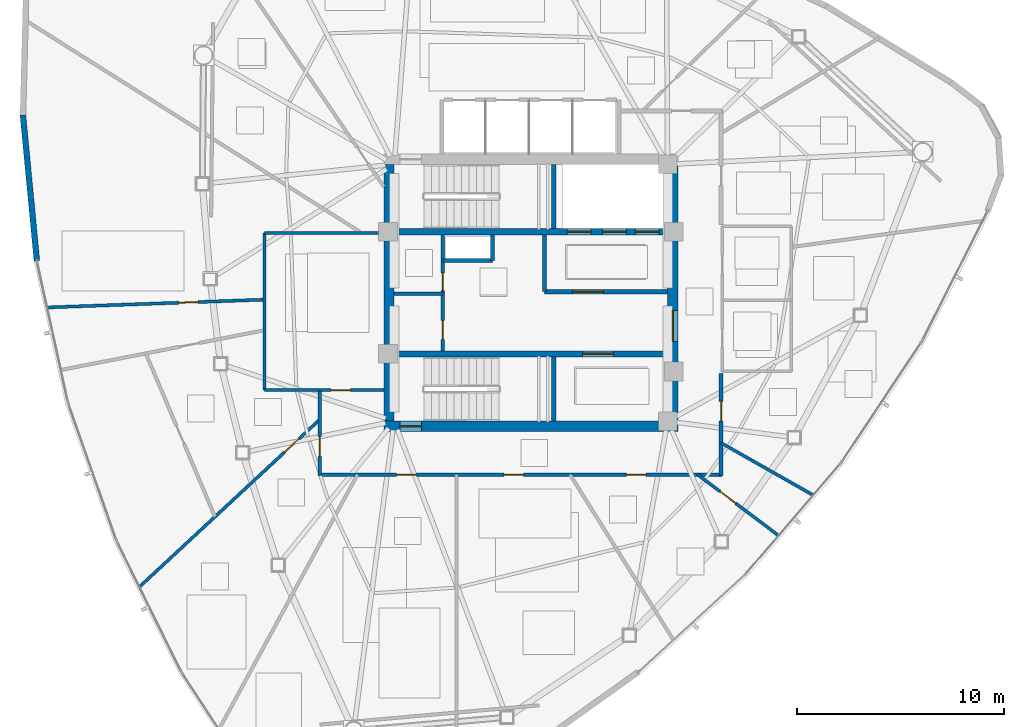
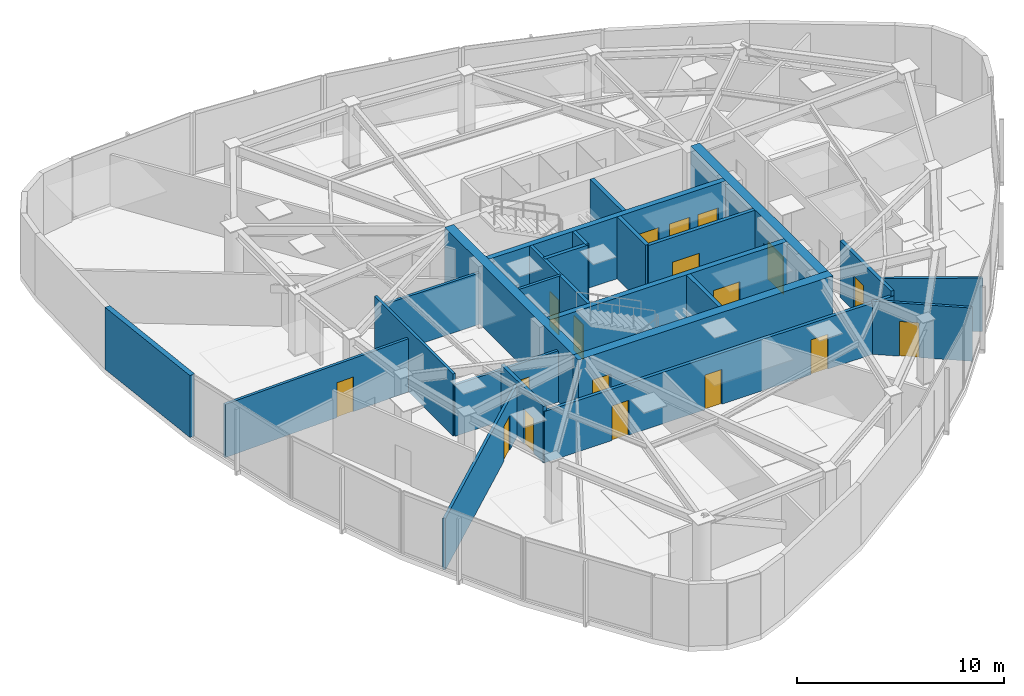
# One storey, part 9 of 14: 24 walls, 18 doors, 18 openings.
"""IFC4 building model written with IfcOpenShell, lengths in metres."""

from ifc_helpers import new_model, si_unit, direction, frame, frame_2d, origin, place, context, subcontext, project, spatial, rectangle, extrude, material, layer, layer_set, type_object, element, fill, save


model = new_model("IFC4")

# Units and contexts
model_context = context("Model", 3, precision=1e-05, world=origin(), true_north=direction((0.0, 1.0)))
body_context = subcontext(model_context, "Body", "Model", "MODEL_VIEW")
ifc_project = project(units=[si_unit("LENGTHUNIT", "METRE"), si_unit("AREAUNIT", "SQUARE_METRE"), si_unit("VOLUMEUNIT", "CUBIC_METRE"), si_unit("PLANEANGLEUNIT", "RADIAN"), si_unit("MASSUNIT", "GRAM", prefix="KILO")], contexts=[model_context])

# Site, building, storey
site_placement = place(None, origin())
site = spatial("IfcSite", under=ifc_project, at=site_placement, CompositionType="ELEMENT")
building_placement = place(site_placement, origin())
building = spatial("IfcBuilding", under=site, at=building_placement, Name="Tavelor Broadcast Tower", CompositionType="ELEMENT")
storey_placement = place(building_placement, frame((0.0, 0.0, 234.0)))
storey = spatial("IfcBuildingStorey", under=building, at=storey_placement, Name="L55", CompositionType="ELEMENT", Elevation=234.0)

# Wall, opening, door
ifc_material_1 = material(Name="Concrete C50/60", Category="concrete")
ifc_layer_1 = layer(ifc_material_1, 0.5)
ifc_layer_set_1 = layer_set([ifc_layer_1], Name="Concrete C50/60")
wall_type_1 = type_object("IfcWallType", Name="Core Shear Wall 500 mm", PredefinedType="SHEAR", material=ifc_layer_set_1)
wall_1_placement = place(storey_placement, frame((42.89990234375, 38.550048828125, 0.0), z_axis=(0.0, 0.0, 1.0), x_axis=(1.0, 0.0, 0.0)))
wall_1 = element("IfcWall", 1, at=wall_1_placement, inside=storey, type_object=wall_type_1, Name="L55 Central Core Shear Wall S", PredefinedType="SHEAR", context=body_context, shape_type="SweptSolid", body=[
    extrude(rectangle(XDim=14.2001953125, YDim=0.5, at=frame_2d((7.10009765625, 0.0))), origin(), (0.0, 0.0, 1.0), 3.64990234375),
])
opening_1_placement = place(wall_1_placement, frame((0.780029296875, 0.0, 0.0)))
opening_1 = element("IfcOpeningElement", 2, at=opening_1_placement, cuts=wall_1, Name="Opening DR11", PredefinedType="OPENING", context=body_context, shape_type="SweptSolid", body=[
    extrude(rectangle(XDim=1.050048828125, YDim=2.199951171875, at=frame_2d((0.52490234375, 1.10009765625))), frame((0.0, 0.260009765625, 0.0), z_axis=(0.0, -1.0, 0.0), x_axis=(1.0, 0.0, 0.0)), (0.0, 0.0, 1.0), 0.52001953125),
])
ifc_material_2 = material(Name="Steel S355", Category="steel")
door_type_1 = type_object("IfcDoorType", Name="Stair Core Fire Escape Door 1050x2200", OperationType="NOTDEFINED", PredefinedType="DOOR", material=ifc_material_2)
door_1_placement = place(opening_1_placement, origin())
door_1 = element("IfcDoor", 3, at=door_1_placement, inside=storey, type_object=door_type_1, Name="L55 Stair ST2 Protected Exit Door", OperationType="SINGLE_SWING_RIGHT", OverallHeight=2.199951171875, OverallWidth=1.050048828125, PredefinedType="DOOR", context=body_context, shape_type="SweptSolid", body=[
    extrude(rectangle(XDim=1.050048828125, YDim=2.199951171875, at=frame_2d((0.52490234375, 1.10009765625))), frame((0.0, 0.02490234375, 0.0), z_axis=(0.0, -1.0, 0.0), x_axis=(1.0, 0.0, 0.0)), (0.0, 0.0, 1.0), 0.050048828125),
])
fill(opening_1, door_1)

# Wall
wall_2_placement = place(storey_placement, frame((43.14990234375, 38.800048828125, 0.0), z_axis=(0.0, 0.0, 1.0), x_axis=(0.0, 1.0, 0.0)))
element("IfcWall", 4, at=wall_2_placement, inside=storey, type_object=wall_type_1, Name="L55 Central Core Shear Wall W", PredefinedType="SHEAR", context=body_context, shape_type="SweptSolid", body=[
    extrude(rectangle(XDim=12.39990234375, YDim=0.5, at=frame_2d((6.199951171875, 0.0))), origin(), (0.0, 0.0, 1.0), 3.64990234375),
])

# Wall, opening, door
wall_3_placement = place(storey_placement, frame((56.85009765625, 38.800048828125, 0.0), z_axis=(0.0, 0.0, 1.0), x_axis=(0.0, 1.0, 0.0)))
wall_3 = element("IfcWall", 5, at=wall_3_placement, inside=storey, type_object=wall_type_1, Name="L55 Central Core Shear Wall E", PredefinedType="SHEAR", context=body_context, shape_type="SweptSolid", body=[
    extrude(rectangle(XDim=12.39990234375, YDim=0.5, at=frame_2d((6.199951171875, 0.0))), origin(), (0.0, 0.0, 1.0), 3.64990234375),
])
opening_2_placement = place(wall_3_placement, frame((3.85009765625, 0.0, 0.0)))
opening_2 = element("IfcOpeningElement", 6, at=opening_2_placement, cuts=wall_3, Name="Opening DR14", PredefinedType="OPENING", context=body_context, shape_type="SweptSolid", body=[
    extrude(rectangle(XDim=1.5, YDim=2.199951171875, at=frame_2d((0.75, 1.10009765625))), frame((0.0, 0.260009765625, 0.0), z_axis=(0.0, -1.0, 0.0), x_axis=(1.0, 0.0, 0.0)), (0.0, 0.0, 1.0), 0.52001953125),
])
door_type_2 = type_object("IfcDoorType", Name="Firefighting Lobby Double Fire Door 1500x2200", OperationType="NOTDEFINED", PredefinedType="DOOR", material=ifc_material_2)
door_2_placement = place(opening_2_placement, origin())
door_2 = element("IfcDoor", 7, at=door_2_placement, inside=storey, type_object=door_type_2, Name="L55 Central Core Lobby Fire Door", OperationType="SINGLE_SWING_LEFT", OverallHeight=2.199951171875, OverallWidth=1.5, PredefinedType="DOOR", context=body_context, shape_type="SweptSolid", body=[
    extrude(rectangle(XDim=1.5, YDim=2.199951171875, at=frame_2d((0.75, 1.10009765625))), frame((0.0, 0.02490234375, 0.0), z_axis=(0.0, -1.0, 0.0), x_axis=(1.0, 0.0, 0.0)), (0.0, 0.0, 1.0), 0.050048828125),
])
fill(opening_2, door_2)

# Wall, openings, doors
ifc_layer_2 = layer(ifc_material_1, 0.300048828125)
ifc_layer_set_2 = layer_set([ifc_layer_2], Name="Concrete C50/60")
wall_type_2 = type_object("IfcWallType", Name="Core Spine Shear Wall 300 mm C50", PredefinedType="SHEAR", material=ifc_layer_set_2)
wall_4_placement = place(storey_placement, frame((43.39990234375, 47.949951171875, 0.0), z_axis=(0.0, 0.0, 1.0), x_axis=(1.0, 0.0, 0.0)))
wall_4 = element("IfcWall", 8, at=wall_4_placement, inside=storey, type_object=wall_type_2, Name="L55 Central Core Shear Wall SP1", PredefinedType="SHEAR", context=body_context, shape_type="SweptSolid", body=[
    extrude(rectangle(XDim=13.2001953125, YDim=0.300048828125, at=frame_2d((6.60009765625, 0.0))), origin(), (0.0, 0.0, 1.0), 3.64990234375),
])
opening_3_placement = place(wall_4_placement, frame((8.344970703125, 0.0, 0.0)))
opening_3 = element("IfcOpeningElement", 9, at=opening_3_placement, cuts=wall_4, Name="Opening LD02", PredefinedType="OPENING", context=body_context, shape_type="SweptSolid", body=[
    extrude(rectangle(XDim=1.14990234375, YDim=2.199951171875, at=frame_2d((0.574951171875, 1.10009765625))), frame((0.0, 0.16015625, 0.0), z_axis=(0.0, -1.0, 0.0), x_axis=(1.0, 0.0, 0.0)), (0.0, 0.0, 1.0), 0.320068359375),
])
opening_4_placement = place(wall_4_placement, frame((10.06494140625, 0.0, 0.0)))
opening_4 = element("IfcOpeningElement", 10, at=opening_4_placement, cuts=wall_4, Name="Opening LD02", PredefinedType="OPENING", context=body_context, shape_type="SweptSolid", body=[
    extrude(rectangle(XDim=1.14990234375, YDim=2.199951171875, at=frame_2d((0.574951171875, 1.10009765625))), frame((0.0, 0.16015625, 0.0), z_axis=(0.0, -1.0, 0.0), x_axis=(1.0, 0.0, 0.0)), (0.0, 0.0, 1.0), 0.320068359375),
])
opening_5_placement = place(wall_4_placement, frame((11.64501953125, 0.0, 0.0)))
opening_5 = element("IfcOpeningElement", 11, at=opening_5_placement, cuts=wall_4, Name="Opening LD03", PredefinedType="OPENING", context=body_context, shape_type="SweptSolid", body=[
    extrude(rectangle(XDim=1.14990234375, YDim=2.199951171875, at=frame_2d((0.574951171875, 1.10009765625))), frame((0.0, 0.16015625, 0.0), z_axis=(0.0, -1.0, 0.0), x_axis=(1.0, 0.0, 0.0)), (0.0, 0.0, 1.0), 0.320068359375),
])
ifc_material_3 = material(Name="Reinforced Brushed Stainless Steel", Category="concrete")
door_type_3 = type_object("IfcDoorType", Name="Broadcast Goods Lift Sliding Landing Door 1250x2200", OperationType="NOTDEFINED", PredefinedType="DOOR", material=ifc_material_3)
door_3_placement = place(opening_5_placement, origin())
door_3 = element("IfcDoor", 12, at=door_3_placement, inside=storey, type_object=door_type_3, Name="L55 Lift SVL1 Sliding Landing Door", OperationType="SLIDING_TO_LEFT", OverallHeight=2.199951171875, OverallWidth=1.14990234375, PredefinedType="DOOR", context=body_context, shape_type="SweptSolid", body=[
    extrude(rectangle(XDim=1.14990234375, YDim=2.199951171875, at=frame_2d((0.574951171875, 1.10009765625))), frame((0.0, 0.02490234375, 0.0), z_axis=(0.0, -1.0, 0.0), x_axis=(1.0, 0.0, 0.0)), (0.0, 0.0, 1.0), 0.050048828125),
])
fill(opening_5, door_3)
ifc_material_4 = material(Name="Fire-Rated Stainless Steel", Category="steel")
door_type_4 = type_object("IfcDoorType", Name="Firefighting Lift Sliding Landing Door 1200x2200", OperationType="NOTDEFINED", PredefinedType="DOOR", material=ifc_material_4)
door_4_placement = place(opening_3_placement, origin())
door_4 = element("IfcDoor", 13, at=door_4_placement, inside=storey, type_object=door_type_4, Name="L55 Lift FFL1 Sliding Landing Door", OperationType="SLIDING_TO_LEFT", OverallHeight=2.199951171875, OverallWidth=1.14990234375, PredefinedType="DOOR", context=body_context, shape_type="SweptSolid", body=[
    extrude(rectangle(XDim=1.14990234375, YDim=2.199951171875, at=frame_2d((0.574951171875, 1.10009765625))), frame((0.0, 0.02490234375, 0.0), z_axis=(0.0, -1.0, 0.0), x_axis=(1.0, 0.0, 0.0)), (0.0, 0.0, 1.0), 0.050048828125),
])
fill(opening_3, door_4)
door_5_placement = place(opening_4_placement, origin())
door_5 = element("IfcDoor", 14, at=door_5_placement, inside=storey, type_object=door_type_4, Name="L55 Lift FFL2 Sliding Landing Door", OperationType="SLIDING_TO_LEFT", OverallHeight=2.199951171875, OverallWidth=1.14990234375, PredefinedType="DOOR", context=body_context, shape_type="SweptSolid", body=[
    extrude(rectangle(XDim=1.14990234375, YDim=2.199951171875, at=frame_2d((0.574951171875, 1.10009765625))), frame((0.0, 0.02490234375, 0.0), z_axis=(0.0, -1.0, 0.0), x_axis=(1.0, 0.0, 0.0)), (0.0, 0.0, 1.0), 0.050048828125),
])
fill(opening_4, door_5)

# Wall, opening, door
wall_5_placement = place(storey_placement, frame((43.39990234375, 42.050048828125, 0.0), z_axis=(0.0, 0.0, 1.0), x_axis=(1.0, 0.0, 0.0)))
wall_5 = element("IfcWall", 15, at=wall_5_placement, inside=storey, type_object=wall_type_2, Name="L55 Central Core Shear Wall SP2", PredefinedType="SHEAR", context=body_context, shape_type="SweptSolid", body=[
    extrude(rectangle(XDim=13.2001953125, YDim=0.300048828125, at=frame_2d((6.60009765625, 0.0))), origin(), (0.0, 0.0, 1.0), 3.64990234375),
])
opening_6_placement = place(wall_5_placement, frame((9.10009765625, 0.0, 0.0)))
opening_6 = element("IfcOpeningElement", 16, at=opening_6_placement, cuts=wall_5, Name="Opening DR14", PredefinedType="OPENING", context=body_context, shape_type="SweptSolid", body=[
    extrude(rectangle(XDim=1.5, YDim=2.199951171875, at=frame_2d((0.75, 1.10009765625))), frame((0.0, 0.16015625, 0.0), z_axis=(0.0, -1.0, 0.0), x_axis=(1.0, 0.0, 0.0)), (0.0, 0.0, 1.0), 0.320068359375),
])
door_6_placement = place(opening_6_placement, origin())
door_6 = element("IfcDoor", 17, at=door_6_placement, inside=storey, type_object=door_type_2, Name="L55 Reclaimed South Core Vestibule Door", OperationType="SINGLE_SWING_LEFT", OverallHeight=2.199951171875, OverallWidth=1.5, PredefinedType="DOOR", context=body_context, shape_type="SweptSolid", body=[
    extrude(rectangle(XDim=1.5, YDim=2.199951171875, at=frame_2d((0.75, 1.10009765625))), frame((0.0, 0.02490234375, 0.0), z_axis=(0.0, -1.0, 0.0), x_axis=(1.0, 0.0, 0.0)), (0.0, 0.0, 1.0), 0.050048828125),
])
fill(opening_6, door_6)

# Wall, openings, doors
ifc_material_5 = material(Name="Calcium Silicate Fire Board 180 mm", Category="gypsum")
ifc_layer_3 = layer(ifc_material_5, 0.179931640625)
ifc_layer_set_3 = layer_set([ifc_layer_3], Name="Calcium Silicate Fire Board 180 mm")
wall_type_3 = type_object("IfcWallType", Name="Fire-Rated Corridor Partition Wall 180 mm", PredefinedType="PARTITIONING", material=ifc_layer_set_3)
wall_6_placement = place(storey_placement, frame((45.75, 42.199951171875, 0.0), z_axis=(0.0, 0.0, 1.0), x_axis=(0.0, 1.0, 0.0)))
wall_6 = element("IfcWall", 18, at=wall_6_placement, inside=storey, type_object=wall_type_3, Name="L55 Core West Service East Wall", PredefinedType="PARTITIONING", context=body_context, shape_type="SweptSolid", body=[
    extrude(rectangle(XDim=5.60009765625, YDim=0.179931640625, at=frame_2d((2.800048828125, 0.0))), origin(), (0.0, 0.0, 1.0), 3.64990234375),
])
opening_7_placement = place(wall_6_placement, frame((0.550048828125, 0.0, 0.0)))
opening_7 = element("IfcOpeningElement", 19, at=opening_7_placement, cuts=wall_6, Name="Opening DR32", PredefinedType="OPENING", context=body_context, shape_type="SweptSolid", body=[
    extrude(rectangle(XDim=0.89990234375, YDim=2.050048828125, at=frame_2d((0.449951171875, 1.02490234375))), frame((0.0, 0.10009765625, 0.0), z_axis=(0.0, -1.0, 0.0), x_axis=(1.0, 0.0, 0.0)), (0.0, 0.0, 1.0), 0.199951171875),
])
opening_8_placement = place(wall_6_placement, frame((2.89990234375, 0.0, 0.0)))
opening_8 = element("IfcOpeningElement", 20, at=opening_8_placement, cuts=wall_6, Name="Opening DR36", PredefinedType="OPENING", context=body_context, shape_type="SweptSolid", body=[
    extrude(rectangle(XDim=0.85009765625, YDim=2.050048828125, at=frame_2d((0.425048828125, 1.02490234375))), frame((0.0, 0.10009765625, 0.0), z_axis=(0.0, -1.0, 0.0), x_axis=(1.0, 0.0, 0.0)), (0.0, 0.0, 1.0), 0.199951171875),
])
ifc_material_6 = material(Name="Timber Solid Core Hardwood", Category="wood")
door_type_5 = type_object("IfcDoorType", Name="Accessible Washroom Door 900x2050", OperationType="NOTDEFINED", PredefinedType="DOOR", material=ifc_material_6)
door_7_placement = place(opening_7_placement, origin())
door_7 = element("IfcDoor", 21, at=door_7_placement, inside=storey, type_object=door_type_5, Name="L55 Core Accessible WC Door", OperationType="SINGLE_SWING_LEFT", OverallHeight=2.050048828125, OverallWidth=0.89990234375, PredefinedType="DOOR", context=body_context, shape_type="SweptSolid", body=[
    extrude(rectangle(XDim=0.89990234375, YDim=2.050048828125, at=frame_2d((0.449951171875, 1.02490234375))), frame((0.0, 0.02490234375, 0.0), z_axis=(0.0, -1.0, 0.0), x_axis=(1.0, 0.0, 0.0)), (0.0, 0.0, 1.0), 0.050048828125),
])
fill(opening_7, door_7)
door_type_6 = type_object("IfcDoorType", Name="Service Room Fire Door 850x2050", OperationType="NOTDEFINED", PredefinedType="DOOR", material=ifc_material_2)
door_8_placement = place(opening_8_placement, origin())
door_8 = element("IfcDoor", 22, at=door_8_placement, inside=storey, type_object=door_type_6, Name="L55 Core Cleaner Store Door", OperationType="SINGLE_SWING_RIGHT", OverallHeight=2.050048828125, OverallWidth=0.85009765625, PredefinedType="DOOR", context=body_context, shape_type="SweptSolid", body=[
    extrude(rectangle(XDim=0.85009765625, YDim=2.050048828125, at=frame_2d((0.425048828125, 1.02490234375))), frame((0.0, 0.02490234375, 0.0), z_axis=(0.0, -1.0, 0.0), x_axis=(1.0, 0.0, 0.0)), (0.0, 0.0, 1.0), 0.050048828125),
])
fill(opening_8, door_8)

# Wall, opening, door
wall_7_placement = place(storey_placement, frame((59.179931640625, 41.10009765625, 0.0), z_axis=(0.0, 0.0, 1.0), x_axis=(0.0, -1.0, 0.0)))
wall_7 = element("IfcWall", 23, at=wall_7_placement, inside=storey, type_object=wall_type_3, Name="L55 Corridor Compartment Wall 03", PredefinedType="PARTITIONING", context=body_context, shape_type="SweptSolid", body=[
    extrude(rectangle(XDim=4.93017578125, YDim=0.179931640625, at=frame_2d((2.465087890625, 0.0))), origin(), (0.0, 0.0, 1.0), 3.324951171875),
])
opening_9_placement = place(wall_7_placement, frame((1.341796875, 0.0, 0.0)))
opening_9 = element("IfcOpeningElement", 24, at=opening_9_placement, cuts=wall_7, Name="Opening DR18", PredefinedType="OPENING", context=body_context, shape_type="SweptSolid", body=[
    extrude(rectangle(XDim=0.949951171875, YDim=2.050048828125, at=frame_2d((0.47509765625, 1.02490234375))), frame((0.0, 0.10009765625, 0.0), z_axis=(0.0, -1.0, 0.0), x_axis=(1.0, 0.0, 0.0)), (0.0, 0.0, 1.0), 0.199951171875),
])
door_type_7 = type_object("IfcDoorType", Name="Corridor Rated Compartment Door 950x2050", OperationType="NOTDEFINED", PredefinedType="DOOR", material=ifc_material_6)
door_9_placement = place(opening_9_placement, origin())
door_9 = element("IfcDoor", 25, at=door_9_placement, inside=storey, type_object=door_type_7, Name="L55 Digital Publishing Workspace Door R11", OperationType="SINGLE_SWING_RIGHT", OverallHeight=2.050048828125, OverallWidth=0.949951171875, PredefinedType="DOOR", context=body_context, shape_type="SweptSolid", body=[
    extrude(rectangle(XDim=0.949951171875, YDim=2.050048828125, at=frame_2d((0.47509765625, 1.02490234375))), frame((0.0, 0.02490234375, 0.0), z_axis=(0.0, -1.0, 0.0), x_axis=(1.0, 0.0, 0.0)), (0.0, 0.0, 1.0), 0.050048828125),
])
fill(opening_9, door_9)

# Wall, openings, doors
wall_8_placement = place(storey_placement, frame((59.22998046875, 36.219970703125, 0.0), z_axis=(0.0, 0.0, 1.0), x_axis=(-1.0, 0.0, 0.0)))
wall_8 = element("IfcWall", 26, at=wall_8_placement, inside=storey, type_object=wall_type_3, Name="L55 Corridor Compartment Wall 04", PredefinedType="PARTITIONING", context=body_context, shape_type="SweptSolid", body=[
    extrude(rectangle(XDim=19.47998046875, YDim=0.179931640625, at=frame_2d((9.739990234375, 0.0))), origin(), (0.0, 0.0, 1.0), 3.02490234375),
])
opening_10_placement = place(wall_8_placement, frame((3.66552734375, 0.0, 0.0)))
opening_10 = element("IfcOpeningElement", 27, at=opening_10_placement, cuts=wall_8, Name="Opening DR18", PredefinedType="OPENING", context=body_context, shape_type="SweptSolid", body=[
    extrude(rectangle(XDim=0.949951171875, YDim=2.050048828125, at=frame_2d((0.47509765625, 1.02490234375))), frame((0.0, 0.10009765625, 0.0), z_axis=(0.0, -1.0, 0.0), x_axis=(1.0, 0.0, 0.0)), (0.0, 0.0, 1.0), 0.199951171875),
])
opening_11_placement = place(wall_8_placement, frame((9.5791015625, 0.0, 0.0)))
opening_11 = element("IfcOpeningElement", 28, at=opening_11_placement, cuts=wall_8, Name="Opening DR18", PredefinedType="OPENING", context=body_context, shape_type="SweptSolid", body=[
    extrude(rectangle(XDim=0.949951171875, YDim=2.050048828125, at=frame_2d((0.47509765625, 1.02490234375))), frame((0.0, 0.10009765625, 0.0), z_axis=(0.0, -1.0, 0.0), x_axis=(1.0, 0.0, 0.0)), (0.0, 0.0, 1.0), 0.199951171875),
])
opening_12_placement = place(wall_8_placement, frame((14.762451171875, 0.0, 0.0)))
opening_12 = element("IfcOpeningElement", 29, at=opening_12_placement, cuts=wall_8, Name="Opening DR18", PredefinedType="OPENING", context=body_context, shape_type="SweptSolid", body=[
    extrude(rectangle(XDim=0.949951171875, YDim=2.050048828125, at=frame_2d((0.47509765625, 1.02490234375))), frame((0.0, 0.10009765625, 0.0), z_axis=(0.0, -1.0, 0.0), x_axis=(1.0, 0.0, 0.0)), (0.0, 0.0, 1.0), 0.199951171875),
])
door_10_placement = place(opening_10_placement, origin())
door_10 = element("IfcDoor", 30, at=door_10_placement, inside=storey, type_object=door_type_7, Name="L55 Audio Dubbing Studio Door R0", OperationType="SINGLE_SWING_LEFT", OverallHeight=2.050048828125, OverallWidth=0.949951171875, PredefinedType="DOOR", context=body_context, shape_type="SweptSolid", body=[
    extrude(rectangle(XDim=0.949951171875, YDim=2.050048828125, at=frame_2d((0.47509765625, 1.02490234375))), frame((0.0, 0.02490234375, 0.0), z_axis=(0.0, -1.0, 0.0), x_axis=(1.0, 0.0, 0.0)), (0.0, 0.0, 1.0), 0.050048828125),
])
fill(opening_10, door_10)
door_11_placement = place(opening_11_placement, origin())
door_11 = element("IfcDoor", 31, at=door_11_placement, inside=storey, type_object=door_type_7, Name="L55 Podcast Recording Studio Door R1", OperationType="SINGLE_SWING_RIGHT", OverallHeight=2.050048828125, OverallWidth=0.949951171875, PredefinedType="DOOR", context=body_context, shape_type="SweptSolid", body=[
    extrude(rectangle(XDim=0.949951171875, YDim=2.050048828125, at=frame_2d((0.47509765625, 1.02490234375))), frame((0.0, 0.02490234375, 0.0), z_axis=(0.0, -1.0, 0.0), x_axis=(1.0, 0.0, 0.0)), (0.0, 0.0, 1.0), 0.050048828125),
])
fill(opening_11, door_11)
door_12_placement = place(opening_12_placement, origin())
door_12 = element("IfcDoor", 32, at=door_12_placement, inside=storey, type_object=door_type_7, Name="L55 Colour Grading Studio Door R2", OperationType="SINGLE_SWING_LEFT", OverallHeight=2.050048828125, OverallWidth=0.949951171875, PredefinedType="DOOR", context=body_context, shape_type="SweptSolid", body=[
    extrude(rectangle(XDim=0.949951171875, YDim=2.050048828125, at=frame_2d((0.47509765625, 1.02490234375))), frame((0.0, 0.02490234375, 0.0), z_axis=(0.0, -1.0, 0.0), x_axis=(1.0, 0.0, 0.0)), (0.0, 0.0, 1.0), 0.050048828125),
])
fill(opening_12, door_12)

# Wall, opening, door
wall_9_placement = place(storey_placement, frame((39.800048828125, 36.169921875, 0.0), z_axis=(0.0, 0.0, 1.0), x_axis=(0.0, 1.0, 0.0)))
wall_9 = element("IfcWall", 33, at=wall_9_placement, inside=storey, type_object=wall_type_3, Name="L55 Corridor Compartment Wall 05", PredefinedType="PARTITIONING", context=body_context, shape_type="SweptSolid", body=[
    extrude(rectangle(XDim=4.080078125, YDim=0.179931640625, at=frame_2d((2.0400390625, 0.0))), origin(), (0.0, 0.0, 1.0), 3.324951171875),
])
opening_13_placement = place(wall_9_placement, frame((0.9287109375, 0.0, 0.0)))
opening_13 = element("IfcOpeningElement", 34, at=opening_13_placement, cuts=wall_9, Name="Opening DR18", PredefinedType="OPENING", context=body_context, shape_type="SweptSolid", body=[
    extrude(rectangle(XDim=0.949951171875, YDim=2.050048828125, at=frame_2d((0.47509765625, 1.02490234375))), frame((0.0, 0.10009765625, 0.0), z_axis=(0.0, -1.0, 0.0), x_axis=(1.0, 0.0, 0.0)), (0.0, 0.0, 1.0), 0.199951171875),
])
door_13_placement = place(opening_13_placement, origin())
door_13 = element("IfcDoor", 35, at=door_13_placement, inside=storey, type_object=door_type_7, Name="L55 Sound Foley Studio Door R3", OperationType="SINGLE_SWING_RIGHT", OverallHeight=2.050048828125, OverallWidth=0.949951171875, PredefinedType="DOOR", context=body_context, shape_type="SweptSolid", body=[
    extrude(rectangle(XDim=0.949951171875, YDim=2.050048828125, at=frame_2d((0.47509765625, 1.02490234375))), frame((0.0, 0.02490234375, 0.0), z_axis=(0.0, -1.0, 0.0), x_axis=(1.0, 0.0, 0.0)), (0.0, 0.0, 1.0), 0.050048828125),
])
fill(opening_13, door_13)

# Walls
ifc_material_7 = material(Name="Precast Concrete C40/50", Category="concrete")
ifc_layer_4 = layer(ifc_material_7, 0.280029296875)
ifc_layer_set_4 = layer_set([ifc_layer_4], Name="Precast Concrete C40/50")
wall_type_4 = type_object("IfcWallType", Name="Insulated Precast Terracotta Facade Wall 280 mm", PredefinedType="STANDARD", material=ifc_layer_set_4)
wall_10_placement = place(storey_placement, frame((25.47412109375, 53.5830078125, 0.0), z_axis=(0.0, 0.0, 1.0), x_axis=(0.095376170831, -0.995441302156, 0.0)))
element("IfcWall", 36, at=wall_10_placement, inside=storey, type_object=wall_type_4, Name="L55 Rounded Corner Structural Cladding Pier 06", PredefinedType="STANDARD", context=body_context, shape_type="SweptSolid", body=[
    extrude(rectangle(XDim=7.070068359375, YDim=0.280029296875, at=frame_2d((3.53515625, 0.0))), origin(), (0.0, 0.0, 1.0), 3.64990234375),
])
ifc_material_8 = material(Name="Gypsum Acoustic Plasterboard 150 mm", Category="gypsum")
ifc_layer_5 = layer(ifc_material_8, 0.14990234375)
ifc_layer_set_5 = layer_set([ifc_layer_5], Name="Gypsum Acoustic Plasterboard 150 mm")
wall_type_5 = type_object("IfcWallType", Name="Interior Acoustic Partition Wall 150 mm", PredefinedType="PARTITIONING", material=ifc_layer_set_5)
wall_11_placement = place(storey_placement, frame((43.39990234375, 44.949951171875, 0.0), z_axis=(0.0, 0.0, 1.0), x_axis=(1.0, 0.0, 0.0)))
element("IfcWall", 37, at=wall_11_placement, inside=storey, type_object=wall_type_5, Name="L55 Core Split Wall A", PredefinedType="PARTITIONING", context=body_context, shape_type="SweptSolid", body=[
    extrude(rectangle(XDim=2.35009765625, YDim=0.14990234375, at=frame_2d((1.175048828125, 0.0))), origin(), (0.0, 0.0, 1.0), 3.64990234375),
])

# Wall, opening, door
wall_12_placement = place(storey_placement, frame((37.139892578125, 40.300048828125, 0.0), z_axis=(0.0, 0.0, 1.0), x_axis=(1.0, 0.0, 0.0)))
wall_12 = element("IfcWall", 38, at=wall_12_placement, inside=storey, type_object=wall_type_5, Name="L55 Reclaimed Shaft Pantry South Wall", PredefinedType="PARTITIONING", context=body_context, shape_type="SweptSolid", body=[
    extrude(rectangle(XDim=5.760009765625, YDim=0.14990234375, at=frame_2d((2.8798828125, 0.0))), origin(), (0.0, 0.0, 1.0), 3.02490234375),
])
opening_14_placement = place(wall_12_placement, frame((3.2099609375, 0.0, 0.0)))
opening_14 = element("IfcOpeningElement", 39, at=opening_14_placement, cuts=wall_12, Name="Opening DR18", PredefinedType="OPENING", context=body_context, shape_type="SweptSolid", body=[
    extrude(rectangle(XDim=0.949951171875, YDim=2.050048828125, at=frame_2d((0.47509765625, 1.02490234375))), frame((0.0, 0.0849609375, 0.0), z_axis=(0.0, -1.0, 0.0), x_axis=(1.0, 0.0, 0.0)), (0.0, 0.0, 1.0), 0.169921875),
])
door_14_placement = place(opening_14_placement, origin())
door_14 = element("IfcDoor", 40, at=door_14_placement, inside=storey, type_object=door_type_7, Name="L55 Broadcast IT Patch and Pantry Door", OperationType="SINGLE_SWING_LEFT", OverallHeight=2.050048828125, OverallWidth=0.949951171875, PredefinedType="DOOR", context=body_context, shape_type="SweptSolid", body=[
    extrude(rectangle(XDim=0.949951171875, YDim=2.050048828125, at=frame_2d((0.47509765625, 1.02490234375))), frame((0.0, 0.02490234375, 0.0), z_axis=(0.0, -1.0, 0.0), x_axis=(1.0, 0.0, 0.0)), (0.0, 0.0, 1.0), 0.050048828125),
])
fill(opening_14, door_14)

# Walls
wall_13_placement = place(storey_placement, frame((37.139892578125, 40.300048828125, 0.0), z_axis=(0.0, 0.0, 1.0), x_axis=(0.0, 1.0, 0.0)))
element("IfcWall", 41, at=wall_13_placement, inside=storey, type_object=wall_type_5, Name="L55 Reclaimed Shaft Pantry West Wall", PredefinedType="PARTITIONING", context=body_context, shape_type="SweptSolid", body=[
    extrude(rectangle(XDim=7.579833984375, YDim=0.14990234375, at=frame_2d((3.7900390625, 0.0))), origin(), (0.0, 0.0, 1.0), 3.64990234375),
])
wall_14_placement = place(storey_placement, frame((37.139892578125, 47.8798828125, 0.0), z_axis=(0.0, 0.0, 1.0), x_axis=(1.0, 0.0, 0.0)))
element("IfcWall", 42, at=wall_14_placement, inside=storey, type_object=wall_type_5, Name="L55 Reclaimed Shaft Pantry North Wall", PredefinedType="PARTITIONING", context=body_context, shape_type="SweptSolid", body=[
    extrude(rectangle(XDim=5.760009765625, YDim=0.14990234375, at=frame_2d((2.8798828125, 0.0))), origin(), (0.0, 0.0, 1.0), 3.02490234375),
])

# Wall, opening, door
wall_15_placement = place(storey_placement, frame((58.051513671875, 36.219970703125, 0.0), z_axis=(0.0, 0.0, 1.0), x_axis=(0.798647810647, -0.601798699358, 0.0)))
wall_15 = element("IfcWall", 43, at=wall_15_placement, inside=storey, type_object=wall_type_5, Name="L55 Radial Compartment Wall 01", PredefinedType="PARTITIONING", context=body_context, shape_type="SweptSolid", body=[
    extrude(rectangle(XDim=4.90380859375, YDim=0.14990234375, at=frame_2d((2.451904296875, 0.0))), origin(), (0.0, 0.0, 1.0), 3.135009765625),
])
opening_15_placement = place(wall_15_placement, frame((1.35009765625, 0.0, 0.0)))
opening_15 = element("IfcOpeningElement", 44, at=opening_15_placement, cuts=wall_15, Name="Opening DR18", PredefinedType="OPENING", context=body_context, shape_type="SweptSolid", body=[
    extrude(rectangle(XDim=0.949951171875, YDim=2.050048828125, at=frame_2d((0.47509765625, 1.02490234375))), frame((0.0, 0.0849609375, 0.0), z_axis=(0.0, -1.0, 0.0), x_axis=(1.0, 0.0, 0.0)), (0.0, 0.0, 1.0), 0.169921875),
])
door_15_placement = place(opening_15_placement, origin())
door_15 = element("IfcDoor", 45, at=door_15_placement, inside=storey, type_object=door_type_7, Name="L55 Suite Connecting Door 12", OperationType="SINGLE_SWING_LEFT", OverallHeight=2.050048828125, OverallWidth=0.949951171875, PredefinedType="DOOR", context=body_context, shape_type="SweptSolid", body=[
    extrude(rectangle(XDim=0.949951171875, YDim=2.050048828125, at=frame_2d((0.47509765625, 1.02490234375))), frame((0.0, 0.02490234375, 0.0), z_axis=(0.0, -1.0, 0.0), x_axis=(1.0, 0.0, 0.0)), (0.0, 0.0, 1.0), 0.050048828125),
])
fill(opening_15, door_15)

# Wall
wall_16_placement = place(storey_placement, frame((59.179931640625, 37.752197265625, 0.0), z_axis=(0.0, 0.0, 1.0), x_axis=(0.869863624474, -0.493292281326, 0.0)))
element("IfcWall", 46, at=wall_16_placement, inside=storey, type_object=wall_type_5, Name="L55 Radial Compartment Wall 02", PredefinedType="PARTITIONING", context=body_context, shape_type="SweptSolid", body=[
    extrude(rectangle(XDim=5.130859375, YDim=0.14990234375, at=frame_2d((2.5654296875, 0.0))), origin(), (0.0, 0.0, 1.0), 3.135009765625),
])

# Wall, opening, door
wall_17_placement = place(storey_placement, frame((37.080078125, 44.665283203125, 0.0), z_axis=(0.0, 0.0, 1.0), x_axis=(-0.999355243549, -0.035903999657, 0.0)))
wall_17 = element("IfcWall", 47, at=wall_17_placement, inside=storey, type_object=wall_type_5, Name="L55 Radial Compartment Wall 08", PredefinedType="PARTITIONING", context=body_context, shape_type="SweptSolid", body=[
    extrude(rectangle(XDim=10.451416015625, YDim=0.14990234375, at=frame_2d((5.2255859375, 0.0))), origin(), (0.0, 0.0, 1.0), 3.135009765625),
])
opening_16_placement = place(wall_17_placement, frame((3.14990234375, 0.0, 0.0)))
opening_16 = element("IfcOpeningElement", 48, at=opening_16_placement, cuts=wall_17, Name="Opening DR18", PredefinedType="OPENING", context=body_context, shape_type="SweptSolid", body=[
    extrude(rectangle(XDim=0.949951171875, YDim=2.050048828125, at=frame_2d((0.47509765625, 1.02490234375))), frame((0.0, 0.0849609375, 0.0), z_axis=(0.0, -1.0, 0.0), x_axis=(1.0, 0.0, 0.0)), (0.0, 0.0, 1.0), 0.169921875),
])
door_16_placement = place(opening_16_placement, origin())
door_16 = element("IfcDoor", 49, at=door_16_placement, inside=storey, type_object=door_type_7, Name="L55 Suite Connecting Door 6", OperationType="SINGLE_SWING_RIGHT", OverallHeight=2.050048828125, OverallWidth=0.949951171875, PredefinedType="DOOR", context=body_context, shape_type="SweptSolid", body=[
    extrude(rectangle(XDim=0.949951171875, YDim=2.050048828125, at=frame_2d((0.47509765625, 1.02490234375))), frame((0.0, 0.02490234375, 0.0), z_axis=(0.0, -1.0, 0.0), x_axis=(1.0, 0.0, 0.0)), (0.0, 0.0, 1.0), 0.050048828125),
])
fill(opening_16, door_16)

wall_18_placement = place(storey_placement, frame((39.800048828125, 38.873779296875, 0.0), z_axis=(0.0, 0.0, 1.0), x_axis=(-0.732919358981, -0.680315524761, 0.0)))
wall_18 = element("IfcWall", 50, at=wall_18_placement, inside=storey, type_object=wall_type_5, Name="L55 Radial Compartment Wall 10", PredefinedType="PARTITIONING", context=body_context, shape_type="SweptSolid", body=[
    extrude(rectangle(XDim=11.88134765625, YDim=0.14990234375, at=frame_2d((5.940673828125, 0.0))), origin(), (0.0, 0.0, 1.0), 3.02490234375),
])
opening_17_placement = place(wall_18_placement, frame((1.35009765625, 0.0, 0.0)))
opening_17 = element("IfcOpeningElement", 51, at=opening_17_placement, cuts=wall_18, Name="Opening DR18", PredefinedType="OPENING", context=body_context, shape_type="SweptSolid", body=[
    extrude(rectangle(XDim=0.949951171875, YDim=2.050048828125, at=frame_2d((0.47509765625, 1.02490234375))), frame((0.0, 0.0849609375, 0.0), z_axis=(0.0, -1.0, 0.0), x_axis=(1.0, 0.0, 0.0)), (0.0, 0.0, 1.0), 0.169921875),
])
door_17_placement = place(opening_17_placement, origin())
door_17 = element("IfcDoor", 52, at=door_17_placement, inside=storey, type_object=door_type_7, Name="L55 Suite Connecting Door 13", OperationType="SINGLE_SWING_RIGHT", OverallHeight=2.050048828125, OverallWidth=0.949951171875, PredefinedType="DOOR", context=body_context, shape_type="SweptSolid", body=[
    extrude(rectangle(XDim=0.949951171875, YDim=2.050048828125, at=frame_2d((0.47509765625, 1.02490234375))), frame((0.0, 0.02490234375, 0.0), z_axis=(0.0, -1.0, 0.0), x_axis=(1.0, 0.0, 0.0)), (0.0, 0.0, 1.0), 0.050048828125),
])
fill(opening_17, door_17)

# Walls
ifc_material_9 = material(Name="Concrete Blockwork 200 mm", Category="masonry")
ifc_layer_6 = layer(ifc_material_9, 0.199951171875)
ifc_layer_set_6 = layer_set([ifc_layer_6], Name="Concrete Blockwork 200 mm")
wall_type_6 = type_object("IfcWallType", Name="Lift and Riser Shaft Enclosure Wall 200 mm", PredefinedType="PARTITIONING", material=ifc_layer_set_6)
wall_19_placement = place(storey_placement, frame((45.75, 46.550048828125, 0.0), z_axis=(0.0, 0.0, 1.0), x_axis=(1.0, 0.0, 0.0)))
element("IfcWall", 53, at=wall_19_placement, inside=storey, type_object=wall_type_6, Name="L55 Riser Shaft South Wall", PredefinedType="PARTITIONING", context=body_context, shape_type="SweptSolid", body=[
    extrude(rectangle(XDim=2.39990234375, YDim=0.199951171875, at=frame_2d((1.199951171875, 0.0))), origin(), (0.0, 0.0, 1.0), 3.64990234375),
])
wall_20_placement = place(storey_placement, frame((48.14990234375, 46.550048828125, 0.0), z_axis=(0.0, 0.0, 1.0), x_axis=(0.0, 1.0, 0.0)))
element("IfcWall", 54, at=wall_20_placement, inside=storey, type_object=wall_type_6, Name="L55 Riser Shaft East Wall", PredefinedType="PARTITIONING", context=body_context, shape_type="SweptSolid", body=[
    extrude(rectangle(XDim=1.25, YDim=0.199951171875, at=frame_2d((0.625, 0.0))), origin(), (0.0, 0.0, 1.0), 3.64990234375),
])

# Wall, opening, door
wall_21_placement = place(storey_placement, frame((50.64990234375, 45.050048828125, 0.0), z_axis=(0.0, 0.0, 1.0), x_axis=(1.0, 0.0, 0.0)))
wall_21 = element("IfcWall", 55, at=wall_21_placement, inside=storey, type_object=wall_type_6, Name="L55 Firefighting Lobby South Wall", PredefinedType="PARTITIONING", context=body_context, shape_type="SweptSolid", body=[
    extrude(rectangle(XDim=5.9501953125, YDim=0.199951171875, at=frame_2d((2.97509765625, 0.0))), origin(), (0.0, 0.0, 1.0), 3.64990234375),
])
opening_18_placement = place(wall_21_placement, frame((1.35009765625, 0.0, 0.0)))
opening_18 = element("IfcOpeningElement", 56, at=opening_18_placement, cuts=wall_21, Name="Opening DR14", PredefinedType="OPENING", context=body_context, shape_type="SweptSolid", body=[
    extrude(rectangle(XDim=1.5, YDim=2.199951171875, at=frame_2d((0.75, 1.10009765625))), frame((0.0, 0.10986328125, 0.0), z_axis=(0.0, -1.0, 0.0), x_axis=(1.0, 0.0, 0.0)), (0.0, 0.0, 1.0), 0.219970703125),
])
door_18_placement = place(opening_18_placement, origin())
door_18 = element("IfcDoor", 57, at=door_18_placement, inside=storey, type_object=door_type_2, Name="L55 Firefighting Lobby Compartment Door", OperationType="SINGLE_SWING_RIGHT", OverallHeight=2.199951171875, OverallWidth=1.5, PredefinedType="DOOR", context=body_context, shape_type="SweptSolid", body=[
    extrude(rectangle(XDim=1.5, YDim=2.199951171875, at=frame_2d((0.75, 1.10009765625))), frame((0.0, 0.02490234375, 0.0), z_axis=(0.0, -1.0, 0.0), x_axis=(1.0, 0.0, 0.0)), (0.0, 0.0, 1.0), 0.050048828125),
])
fill(opening_18, door_18)

# Walls
wall_22_placement = place(storey_placement, frame((50.64990234375, 45.050048828125, 0.0), z_axis=(0.0, 0.0, 1.0), x_axis=(0.0, 1.0, 0.0)))
element("IfcWall", 58, at=wall_22_placement, inside=storey, type_object=wall_type_6, Name="L55 Firefighting Lobby West Wall", PredefinedType="PARTITIONING", context=body_context, shape_type="SweptSolid", body=[
    extrude(rectangle(XDim=2.75, YDim=0.199951171875, at=frame_2d((1.375, 0.0))), origin(), (0.0, 0.0, 1.0), 3.64990234375),
])
ifc_material_10 = material(Name="Concrete C40/50", Category="concrete")
ifc_layer_7 = layer(ifc_material_10, 0.219970703125)
ifc_layer_set_7 = layer_set([ifc_layer_7], Name="Concrete C40/50")
wall_type_7 = type_object("IfcWallType", Name="Structural Stairwell Shear Wall 220 mm", PredefinedType="SHEAR", material=ifc_layer_set_7)
for number, where, z_axis, x_axis, name in (
    (59, (51.110107421875, 48.10009765625, 0.0), (0.0, 0.0, 1.0), (0.0, 1.0, 0.0), "L55 Stair ST1 Structural Shaft Wall"),
    (60, (51.110107421875, 38.800048828125, 0.0), (0.0, 0.0, 1.0), (0.0, 1.0, 0.0), "L55 Stair ST2 Structural Shaft Wall"),
):
    element("IfcWall", number, at=place(storey_placement, frame(where, z_axis=z_axis, x_axis=x_axis)), inside=storey, type_object=wall_type_7, Name=name, PredefinedType="SHEAR", context=body_context, shape_type="SweptSolid", body=[
        extrude(rectangle(XDim=3.099853515625, YDim=0.219970703125, at=frame_2d((1.5498046875, 0.0))), origin(), (0.0, 0.0, 1.0), 3.64990234375),
    ])

save(model, "model.ifc")
